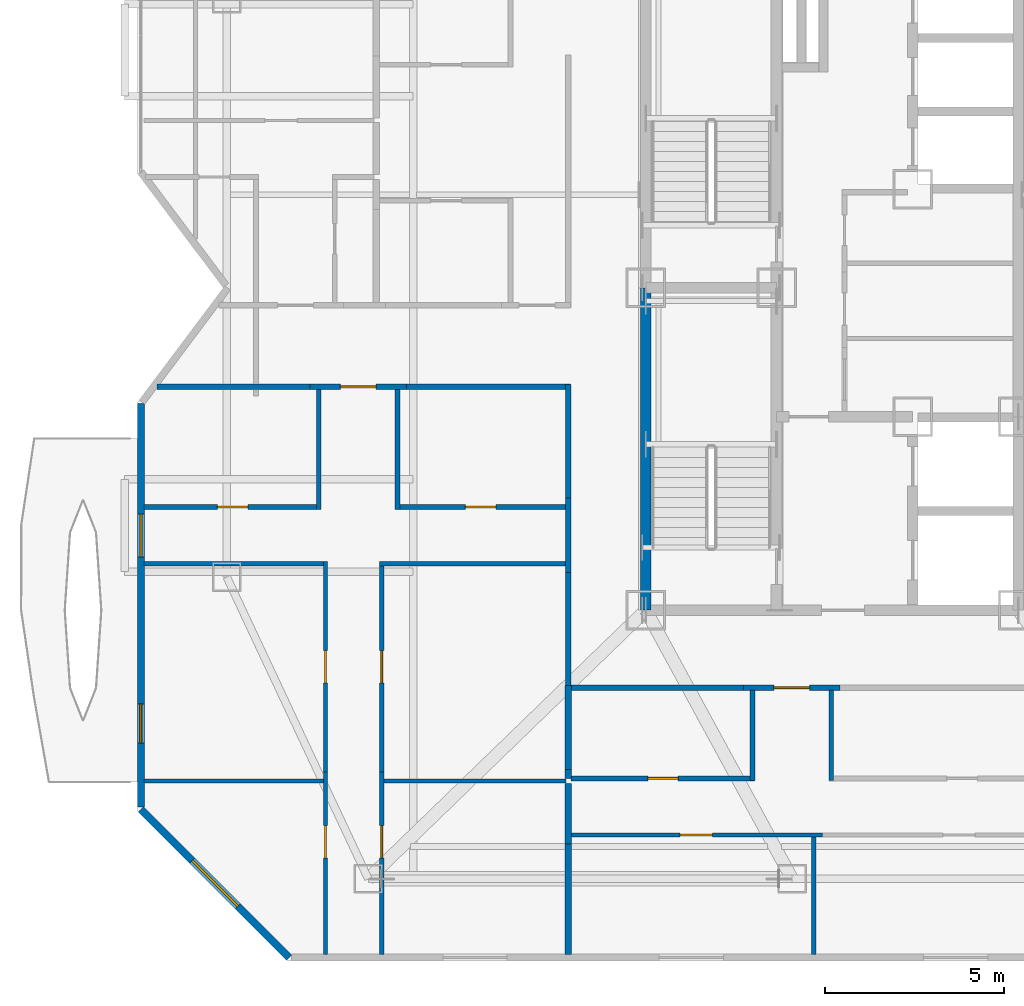
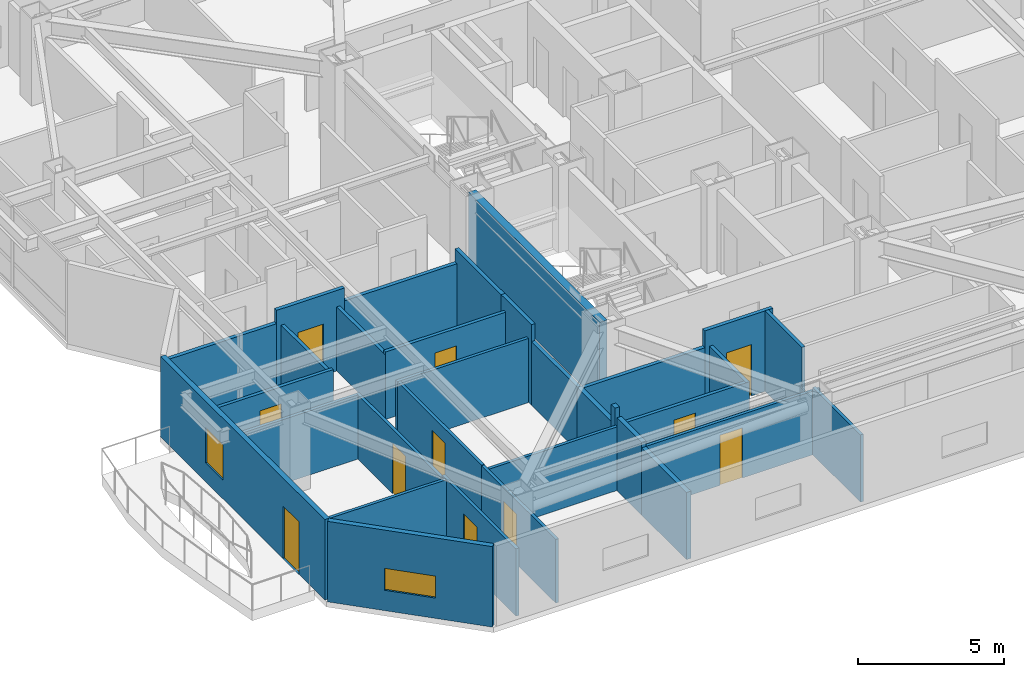
# One storey, part 12 of 20: 32 walls, 11 doors, 2 windows, 13 openings.
"""IFC4 building model written with IfcOpenShell, lengths in metres."""

import ifcopenshell
import ifcopenshell.guid

model = None  # the IFC model being written
_history = None  # IfcOwnerHistory: only IFC2X3 demands one
_inside = {}  # id of a spatial element -> (the spatial element, [elements in it])
_under = {}  # id of a project, library or spatial element -> (it, [spatial elements below it])
_declared = {}  # id of a project -> (the project, [libraries it declares])
_typed = {}  # id of a type object -> (the type object, [elements of that type])
_made_of = {}  # id of a material, layer set ... -> (it, [elements and type objects made of it])


def new_model(schema):
    """Start an empty IFC model of exactly this schema.

    Asked for "IFC4X3", IfcOpenShell would pick the latest addendum, in which some entities
    have other attributes; the version numbers below select the first issue.
    IFC2X3 requires an IfcOwnerHistory on every rooted entity: one is made here for all.
    """
    global model, _history
    if schema == "IFC4X3":
        model = ifcopenshell.file(schema_version=(4, 3, 0, 0))
    else:
        model = ifcopenshell.file(schema=schema)
    _inside.clear()
    _under.clear()
    _declared.clear()
    _typed.clear()
    _made_of.clear()
    _history = None
    if model.schema == "IFC2X3":
        org = make("IfcOrganization", Name="unknown")
        user = make(
            "IfcPersonAndOrganization",
            ThePerson=make("IfcPerson", FamilyName="unknown"),
            TheOrganization=org,
        )
        app = make(
            "IfcApplication",
            ApplicationDeveloper=org,
            Version="unknown",
            ApplicationFullName="unknown",
            ApplicationIdentifier="unknown",
        )
        _history = make(
            "IfcOwnerHistory",
            OwningUser=user,
            OwningApplication=app,
            ChangeAction="ADDED",
            CreationDate=0,
        )
    return model


def make(cls, **values):
    """One entity of the class cls with the attributes given. An attribute that is None is left unset."""
    return model.create_entity(
        cls, **{name: value for name, value in values.items() if value is not None}
    )


def rooted(cls, **values):
    """An entity with a GlobalId (a new one), such as an element, a storey or a relation."""
    return make(cls, GlobalId=ifcopenshell.guid.new(), OwnerHistory=_history, **values)


def si_unit(unit_type, name, prefix=None):
    """IfcSIUnit, for example si_unit("LENGTHUNIT", "METRE", prefix="MILLI")."""
    return make("IfcSIUnit", UnitType=unit_type, Prefix=prefix, Name=name)


def assignment(units):
    """IfcUnitAssignment: the units of a project."""
    return None if units is None else make("IfcUnitAssignment", Units=units)


def point(xyz):
    """IfcCartesianPoint."""
    return None if xyz is None else make("IfcCartesianPoint", Coordinates=xyz)


def direction(xyz):
    """IfcDirection."""
    return None if xyz is None else make("IfcDirection", DirectionRatios=xyz)


def frame(location, z_axis=None, x_axis=None):
    """IfcAxis2Placement3D, a coordinate frame: its origin and axes. An axis left out is left unset."""
    return make(
        "IfcAxis2Placement3D",
        Location=point(location),
        Axis=direction(z_axis),
        RefDirection=direction(x_axis),
    )


def frame_2d(location, x_axis=None):
    """IfcAxis2Placement2D, a coordinate frame in the plane: its origin and x axis."""
    return make(
        "IfcAxis2Placement2D", Location=point(location), RefDirection=direction(x_axis)
    )


def origin():
    """The frame at (0, 0, 0) with its axes left unset."""
    return frame((0.0, 0.0, 0.0))


def place(relative_to, where):
    """IfcLocalPlacement: puts the frame where relative to a parent placement (None: the world)."""
    return make(
        "IfcLocalPlacement", PlacementRelTo=relative_to, RelativePlacement=where
    )


def context(
    kind, dimensions, precision=None, world=None, true_north=None, identifier=None
):
    """IfcGeometricRepresentationContext, for example the 3D "Model" context."""
    return make(
        "IfcGeometricRepresentationContext",
        ContextIdentifier=identifier,
        ContextType=kind,
        CoordinateSpaceDimension=dimensions,
        Precision=precision,
        WorldCoordinateSystem=world,
        TrueNorth=true_north,
    )


def subcontext(parent, identifier, kind, view, scale=None):
    """IfcGeometricRepresentationSubContext, for example "Body" below "Model"."""
    return make(
        "IfcGeometricRepresentationSubContext",
        ContextIdentifier=identifier,
        ContextType=kind,
        ParentContext=parent,
        TargetScale=scale,
        TargetView=view,
    )


def project(units=None, contexts=None):
    """IfcProject with its units and contexts."""
    return rooted(
        "IfcProject",
        Name="project",
        RepresentationContexts=contexts,
        UnitsInContext=assignment(units),
    )


def spatial(cls, under=None, at=None, **own):
    """A site, building, storey or space (cls), placed at a placement, below another one or the project."""
    s = rooted(cls, ObjectPlacement=at, **own)
    if under is not None:
        _under.setdefault(under.id(), (under, []))[1].append(s)
    return s


def profile(cls, at=None, kind="AREA", **sizes):
    """A parametric profile (cls). Its sizes go by their IFC names, for example OverallWidth=200.0."""
    return make(cls, ProfileType=kind, Position=at, **sizes)


def rectangle(**sizes):
    """IfcRectangleProfileDef."""
    return profile("IfcRectangleProfileDef", **sizes)


def extrude(swept, where, along, depth):
    """IfcExtrudedAreaSolid: the profile swept, set in the frame where, extruded along a direction by depth."""
    return make(
        "IfcExtrudedAreaSolid",
        SweptArea=swept,
        Position=where,
        ExtrudedDirection=direction(along),
        Depth=depth,
    )


def shape(context_of_items, identifier, shape_type, items):
    """IfcShapeRepresentation: the items that make up one representation, for example the "Body"."""
    return make(
        "IfcShapeRepresentation",
        ContextOfItems=context_of_items,
        RepresentationIdentifier=identifier,
        RepresentationType=shape_type,
        Items=items,
    )


def material(Name=None, Category=None):
    """IfcMaterial."""
    return make("IfcMaterial", Name=Name, Category=Category)


def layer(
    of_material, thickness, ventilated=None, Name=None, Category=None, Priority=None
):
    """IfcMaterialLayer: one layer of a wall or slab, of a material (None: an air gap)."""
    return make(
        "IfcMaterialLayer",
        Material=of_material,
        LayerThickness=thickness,
        IsVentilated=ventilated,
        Name=Name,
        Category=Category,
        Priority=Priority,
    )


def layer_set(layers, Name=None):
    """IfcMaterialLayerSet."""
    return make("IfcMaterialLayerSet", MaterialLayers=layers, LayerSetName=Name)


def made_of(thing, what):
    """Note that an element or type object is made of a material, layer set ...; save() writes the relation."""
    if what is not None:
        _made_of.setdefault(what.id(), (what, []))[1].append(thing)
    return thing


def type_object(cls, material=None, **own):
    """A type object (cls), such as IfcWallType, which elements share."""
    return made_of(rooted(cls, **own), material)


def element(
    cls,
    number,
    at=None,
    inside=None,
    cuts=None,
    type_object=None,
    material=None,
    context=None,
    identifier="Body",
    shape_type=None,
    held_by="IfcProductDefinitionShape",
    body=None,
    shapes=None,
    **own,
):
    """One element of the class cls, such as IfcWall. Its Tag is "e" and its number.

    at: its placement. inside: the storey or other place that contains it. cuts: it is an
    opening in that element (IfcRelVoidsElement). A single representation is given by context,
    identifier, shape_type and body (its items); several are given by shapes. held_by: the class
    of the entity that holds the representations. save() writes the other relations.
    """
    e = rooted(cls, Tag="e%d" % number, ObjectPlacement=at, **own)
    if body is not None:
        shapes = [shape(context, identifier, shape_type, body)]
    if shapes is not None:
        e.Representation = make(held_by, Representations=shapes)
    if inside is not None:
        _inside.setdefault(inside.id(), (inside, []))[1].append(e)
    if cuts is not None:
        rooted(
            "IfcRelVoidsElement", RelatingBuildingElement=cuts, RelatedOpeningElement=e
        )
    if type_object is not None:
        _typed.setdefault(type_object.id(), (type_object, []))[1].append(e)
    return made_of(e, material)


def fill(opening, filler):
    """IfcRelFillsElement: the door or window that sits in an opening."""
    return rooted(
        "IfcRelFillsElement",
        RelatingOpeningElement=opening,
        RelatedBuildingElement=filler,
    )


def aggregate(whole, parts):
    """IfcRelAggregates: a whole, such as a stair, and the parts it consists of."""
    return rooted("IfcRelAggregates", RelatingObject=whole, RelatedObjects=parts)


def save(model, path):
    """Write the relations noted so far, then the file.

    IfcRelAggregates (storeys below a building ...), IfcRelContainedInSpatialStructure (elements
    in a storey), IfcRelDefinesByType, IfcRelAssociatesMaterial and IfcRelDeclares: one each for
    every whole, place, type object, material and project.
    """
    for whole, parts in _under.values():
        aggregate(whole, parts)
    for where, things in _inside.values():
        rooted(
            "IfcRelContainedInSpatialStructure",
            RelatedElements=things,
            RelatingStructure=where,
        )
    for kind, things in _typed.values():
        rooted("IfcRelDefinesByType", RelatedObjects=things, RelatingType=kind)
    for what, things in _made_of.values():
        rooted("IfcRelAssociatesMaterial", RelatedObjects=things, RelatingMaterial=what)
    for by, libraries in _declared.values():
        rooted("IfcRelDeclares", RelatingContext=by, RelatedDefinitions=libraries)
    model.write(path)


model = new_model("IFC4")

# Units and contexts
model_context = context("Model", 3, precision=1e-05, world=origin(), true_north=direction((0.0, 1.0)))
body_context = subcontext(model_context, "Body", "Model", "MODEL_VIEW")
ifc_project = project(units=[si_unit("LENGTHUNIT", "METRE"), si_unit("AREAUNIT", "SQUARE_METRE"), si_unit("VOLUMEUNIT", "CUBIC_METRE"), si_unit("PLANEANGLEUNIT", "RADIAN"), si_unit("MASSUNIT", "GRAM", prefix="KILO")], contexts=[model_context])

# Site, building, storey
site_placement = place(None, origin())
site = spatial("IfcSite", under=ifc_project, at=site_placement, CompositionType="ELEMENT")
building_placement = place(site_placement, origin())
building = spatial("IfcBuilding", under=site, at=building_placement, Name="Khamvora Tower", CompositionType="ELEMENT")
storey_placement = place(building_placement, frame((0.0, 0.0, 203.35009765625)))
storey = spatial("IfcBuildingStorey", under=building, at=storey_placement, Name="L52", CompositionType="ELEMENT", Elevation=203.35009765625)

# Walls
ifc_material_1 = material(Name="Concrete C50/60", Category="concrete")
ifc_layer_1 = layer(ifc_material_1, 0.300048828125)
ifc_layer_set_1 = layer_set([ifc_layer_1], Name="Concrete C50/60")
wall_type_1 = type_object("IfcWallType", Name="WAL-CORE-300", PredefinedType="SHEAR", material=ifc_layer_set_1)
wall_1_placement = place(storey_placement, frame((29.0, 19.0, 0.0), z_axis=(0.0, 0.0, 1.0), x_axis=(0.0, 1.0, 0.0)))
element("IfcWall", 1, at=wall_1_placement, inside=storey, type_object=wall_type_1, Name="L52 central core west south wall", PredefinedType="SHEAR", context=body_context, shape_type="SweptSolid", body=[
    extrude(rectangle(XDim=9.0, YDim=0.300048828125, at=frame_2d((4.5, 0.0))), origin(), (0.0, 0.0, 1.0), 3.369873046875),
])
ifc_material_2 = material(Name="Fire-Rated Drywall and Steel Stud", Category="steel")
ifc_layer_2 = layer(ifc_material_2, 0.14990234375)
ifc_layer_set_2 = layer_set([ifc_layer_2], Name="Fire-Rated Drywall and Steel Stud")
wall_type_2 = type_object("IfcWallType", Name="WAL-CORR-150", PredefinedType="STANDARD", material=ifc_layer_set_2)
wall_2_placement = place(storey_placement, frame((26.8349609375, 20.051025390625, 0.0), z_axis=(0.0, 0.0, 1.0), x_axis=(0.0, 1.0, 0.0)))
element("IfcWall", 2, at=wall_2_placement, inside=storey, type_object=wall_type_2, Name="L52 interior partition wall 008", PredefinedType="STANDARD", context=body_context, shape_type="SweptSolid", body=[
    extrude(rectangle(XDim=2.077880859375, YDim=0.14990234375, at=frame_2d((1.0390625, 0.0))), origin(), (0.0, 0.0, 1.0), 3.369873046875),
])

# Wall, opening, door
wall_3_placement = place(storey_placement, frame((22.318115234375, 25.235107421875, 0.0), z_axis=(0.0, 0.0, 1.0), x_axis=(-1.0, 0.0, 0.0)))
wall_3 = element("IfcWall", 3, at=wall_3_placement, inside=storey, type_object=wall_type_2, Name="L52 interior partition wall 009", PredefinedType="STANDARD", context=body_context, shape_type="SweptSolid", body=[
    extrude(rectangle(XDim=2.697998046875, YDim=0.14990234375, at=frame_2d((1.34912109375, 0.0))), origin(), (0.0, 0.0, 1.0), 3.369873046875),
])
opening_1_placement = place(wall_3_placement, frame((0.84912109375, 0.0, 0.0)))
opening_1 = element("IfcOpeningElement", 4, at=opening_1_placement, cuts=wall_3, Name="Opening D-U1", PredefinedType="OPENING", context=body_context, shape_type="SweptSolid", body=[
    extrude(rectangle(XDim=1.0, YDim=2.14990234375, at=frame_2d((0.5, 1.074951171875))), frame((0.0, 0.0849609375, 0.0), z_axis=(0.0, -1.0, 0.0), x_axis=(1.0, 0.0, 0.0)), (0.0, 0.0, 1.0), 0.169921875),
])
ifc_material_3 = material(Name="Powder-Coated Steel and Hardwood Leaf", Category="steel")
door_type_1 = type_object("IfcDoorType", Name="DOR-UNIT-1000", OperationType="NOTDEFINED", PredefinedType="DOOR", material=ifc_material_3)
door_1_placement = place(opening_1_placement, origin())
door_1 = element("IfcDoor", 5, at=door_1_placement, inside=storey, type_object=door_type_1, Name="L52 interior door COR-52WAH", OperationType="SINGLE_SWING_LEFT", OverallHeight=2.14990234375, OverallWidth=1.0, PredefinedType="DOOR", context=body_context, shape_type="SweptSolid", body=[
    extrude(rectangle(XDim=1.0, YDim=2.14990234375, at=frame_2d((0.5, 1.074951171875))), frame((0.0, 0.02490234375, 0.0), z_axis=(0.0, -1.0, 0.0), x_axis=(1.0, 0.0, 0.0)), (0.0, 0.0, 1.0), 0.050048828125),
])
fill(opening_1, door_1)

# Walls
wall_4_placement = place(storey_placement, frame((26.8349609375, 22.12890625, 0.0), z_axis=(0.0, 0.0, 1.0), x_axis=(0.0, 1.0, 0.0)))
element("IfcWall", 6, at=wall_4_placement, inside=storey, type_object=wall_type_2, Name="L52 interior partition wall 010", PredefinedType="STANDARD", context=body_context, shape_type="SweptSolid", body=[
    extrude(rectangle(XDim=3.171142578125, YDim=0.14990234375, at=frame_2d((1.58544921875, 0.0))), origin(), (0.0, 0.0, 1.0), 3.369873046875),
])
wall_5_placement = place(storey_placement, frame((26.89794921875, 25.235107421875, 0.0), z_axis=(0.0, 0.0, 1.0), x_axis=(-1.0, 0.0, 0.0)))
element("IfcWall", 7, at=wall_5_placement, inside=storey, type_object=wall_type_2, Name="L52 interior partition wall 011", PredefinedType="STANDARD", context=body_context, shape_type="SweptSolid", body=[
    extrude(rectangle(XDim=4.579833984375, YDim=0.14990234375, at=frame_2d((2.2900390625, 0.0))), origin(), (0.0, 0.0, 1.0), 2.826904296875),
])
wall_6_placement = place(storey_placement, frame((19.6201171875, 25.235107421875, 0.0), z_axis=(0.0, 0.0, 1.0), x_axis=(-1.0, 0.0, 0.0)))
element("IfcWall", 8, at=wall_6_placement, inside=storey, type_object=wall_type_2, Name="L52 interior partition wall 012", PredefinedType="STANDARD", context=body_context, shape_type="SweptSolid", body=[
    extrude(rectangle(XDim=4.26513671875, YDim=0.14990234375, at=frame_2d((2.132568359375, 0.0))), origin(), (0.0, 0.0, 1.0), 2.81591796875),
])
wall_7_placement = place(storey_placement, frame((26.8349609375, 16.89990234375, 0.0), z_axis=(0.0, 0.0, 1.0), x_axis=(0.0, 1.0, 0.0)))
element("IfcWall", 9, at=wall_7_placement, inside=storey, type_object=wall_type_2, Name="L52 interior partition wall 013", PredefinedType="STANDARD", context=body_context, shape_type="SweptSolid", body=[
    extrude(rectangle(XDim=3.151123046875, YDim=0.14990234375, at=frame_2d((1.57568359375, 0.0))), origin(), (0.0, 0.0, 1.0), 2.664794921875),
])

# Wall, opening, door
wall_8_placement = place(storey_placement, frame((34.424072265625, 16.8349609375, 0.0), z_axis=(0.0, 0.0, 1.0), x_axis=(-1.0, 0.0, 0.0)))
wall_8 = element("IfcWall", 10, at=wall_8_placement, inside=storey, type_object=wall_type_2, Name="L52 interior partition wall 019", PredefinedType="STANDARD", context=body_context, shape_type="SweptSolid", body=[
    extrude(rectangle(XDim=2.697998046875, YDim=0.14990234375, at=frame_2d((1.34912109375, 0.0))), origin(), (0.0, 0.0, 1.0), 3.369873046875),
])
opening_2_placement = place(wall_8_placement, frame((0.84912109375, 0.0, 0.0)))
opening_2 = element("IfcOpeningElement", 11, at=opening_2_placement, cuts=wall_8, Name="Opening D-U1", PredefinedType="OPENING", context=body_context, shape_type="SweptSolid", body=[
    extrude(rectangle(XDim=1.0, YDim=2.14990234375, at=frame_2d((0.5, 1.074951171875))), frame((0.0, 0.0849609375, 0.0), z_axis=(0.0, -1.0, 0.0), x_axis=(1.0, 0.0, 0.0)), (0.0, 0.0, 1.0), 0.169921875),
])
door_2_placement = place(opening_2_placement, origin())
door_2 = element("IfcDoor", 12, at=door_2_placement, inside=storey, type_object=door_type_1, Name="L52 interior door COR-52SAH", OperationType="SINGLE_SWING_RIGHT", OverallHeight=2.14990234375, OverallWidth=1.0, PredefinedType="DOOR", context=body_context, shape_type="SweptSolid", body=[
    extrude(rectangle(XDim=1.0, YDim=2.14990234375, at=frame_2d((0.5, 1.074951171875))), frame((0.0, 0.02490234375, 0.0), z_axis=(0.0, -1.0, 0.0), x_axis=(1.0, 0.0, 0.0)), (0.0, 0.0, 1.0), 0.050048828125),
])
fill(opening_2, door_2)

# Walls
wall_9_placement = place(storey_placement, frame((31.72607421875, 16.8349609375, 0.0), z_axis=(0.0, 0.0, 1.0), x_axis=(-1.0, 0.0, 0.0)))
element("IfcWall", 13, at=wall_9_placement, inside=storey, type_object=wall_type_2, Name="L52 interior partition wall 020", PredefinedType="STANDARD", context=body_context, shape_type="SweptSolid", body=[
    extrude(rectangle(XDim=4.826171875, YDim=0.14990234375, at=frame_2d((2.4130859375, 0.0))), origin(), (0.0, 0.0, 1.0), 2.664794921875),
])
ifc_material_4 = material(Name="Acoustic Double-Stud Fire Wall", Category="gypsum")
ifc_layer_3 = layer(ifc_material_4, 0.179931640625)
ifc_layer_set_3 = layer_set([ifc_layer_3], Name="Acoustic Double-Stud Fire Wall")
wall_type_3 = type_object("IfcWallType", Name="WAL-CORR-180", PredefinedType="STANDARD", material=ifc_layer_set_3)
wall_10_placement = place(storey_placement, frame((26.8349609375, 14.166015625, 0.0), z_axis=(0.0, 0.0, 1.0), x_axis=(0.0, -1.0, 0.0)))
element("IfcWall", 14, at=wall_10_placement, inside=storey, type_object=wall_type_3, Name="L52 interior partition wall 058", PredefinedType="STANDARD", context=body_context, shape_type="SweptSolid", body=[
    extrude(rectangle(XDim=1.68994140625, YDim=0.179931640625, at=frame_2d((0.844970703125, 0.0))), origin(), (0.0, 0.0, 1.0), 3.046875),
])
wall_11_placement = place(storey_placement, frame((26.8349609375, 12.47607421875, 0.0), z_axis=(0.0, 0.0, 1.0), x_axis=(0.0, -1.0, 0.0)))
element("IfcWall", 15, at=wall_11_placement, inside=storey, type_object=wall_type_3, Name="L52 interior partition wall 059", PredefinedType="STANDARD", context=body_context, shape_type="SweptSolid", body=[
    extrude(rectangle(XDim=3.083984375, YDim=0.179931640625, at=frame_2d((1.5419921875, 0.0))), origin(), (0.0, 0.0, 1.0), 2.81591796875),
])
wall_12_placement = place(storey_placement, frame((26.8349609375, 14.553955078125, 0.0), z_axis=(0.0, 0.0, 1.0), x_axis=(0.0, -1.0, 0.0)))
element("IfcWall", 16, at=wall_12_placement, inside=storey, type_object=wall_type_3, Name="L52 interior partition wall 060", PredefinedType="STANDARD", context=body_context, shape_type="SweptSolid", body=[
    extrude(rectangle(XDim=0.258056640625, YDim=0.179931640625, at=frame_2d((0.12890625, 0.0))), origin(), (0.0, 0.0, 1.0), 3.369873046875),
])
wall_13_placement = place(storey_placement, frame((26.8349609375, 16.89990234375, 0.0), z_axis=(0.0, 0.0, 1.0), x_axis=(0.0, -1.0, 0.0)))
element("IfcWall", 17, at=wall_13_placement, inside=storey, type_object=wall_type_3, Name="L52 interior partition wall 061", PredefinedType="STANDARD", context=body_context, shape_type="SweptSolid", body=[
    extrude(rectangle(XDim=2.345947265625, YDim=0.179931640625, at=frame_2d((1.1728515625, 0.0))), origin(), (0.0, 0.0, 1.0), 2.664794921875),
])

# Wall, opening, window
ifc_material_5 = material(Name="Precast concrete C40/50", Category="concrete")
ifc_layer_4 = layer(ifc_material_5, 0.199951171875)
ifc_layer_set_4 = layer_set([ifc_layer_4], Name="Precast concrete C40/50")
wall_type_4 = type_object("IfcWallType", Name="WAL-EXT-200", PredefinedType="STANDARD", material=ifc_layer_set_4)
wall_14_placement = place(storey_placement, frame((19.041015625, 9.300048828125, 0.0), z_axis=(0.0, 0.0, 1.0), x_axis=(-0.707127625344, 0.707085936414, 0.0)))
wall_14 = element("IfcWall", 18, at=wall_14_placement, inside=storey, type_object=wall_type_4, Name="L52 exterior facade wall 01.1", PredefinedType="STANDARD", context=body_context, shape_type="SweptSolid", body=[
    extrude(rectangle(XDim=5.856201171875, YDim=0.199951171875, at=frame_2d((2.92822265625, 0.0))), origin(), (0.0, 0.0, 1.0), 3.369873046875),
])
opening_3_placement = place(wall_14_placement, frame((2.028076171875, 0.0, 0.85009765625)))
opening_3 = element("IfcOpeningElement", 19, at=opening_3_placement, cuts=wall_14, Name="Opening WN-09", PredefinedType="OPENING", context=body_context, shape_type="SweptSolid", body=[
    extrude(rectangle(XDim=1.800048828125, YDim=0.919921875, at=frame_2d((0.89990234375, 0.4599609375))), frame((0.0, 0.10986328125, 0.0), z_axis=(0.0, -1.0, 0.0), x_axis=(1.0, 0.0, 0.0)), (0.0, 0.0, 1.0), 0.219970703125),
])
ifc_material_6 = material(Name="Low-E Laminated Double Glazing", Category="glass")
window_type_1 = type_object("IfcWindowType", Name="WIN-CLR-1800x920", PartitioningType="SINGLE_PANEL", PredefinedType="WINDOW", material=ifc_material_6)
window_1_placement = place(opening_3_placement, origin())
window_1 = element("IfcWindow", 20, at=window_1_placement, inside=storey, type_object=window_type_1, Name="L52 vision window 01.1.01", OverallHeight=0.919921875, OverallWidth=1.800048828125, PartitioningType="SINGLE_PANEL", PredefinedType="WINDOW", context=body_context, shape_type="SweptSolid", body=[
    extrude(rectangle(XDim=1.800048828125, YDim=0.919921875, at=frame_2d((0.89990234375, 0.4599609375))), frame((0.0, 0.030029296875, 0.0), z_axis=(0.0, -1.0, 0.0), x_axis=(1.0, 0.0, 0.0)), (0.0, 0.0, 1.0), 0.06005859375),
])
fill(opening_3, window_1)

# Wall, openings, door, window
wall_15_placement = place(storey_placement, frame((14.89990234375, 13.50390625, 0.0), z_axis=(0.0, 0.0, 1.0), x_axis=(0.0, 1.0, 0.0)))
wall_15 = element("IfcWall", 21, at=wall_15_placement, inside=storey, type_object=wall_type_4, Name="L52 exterior facade wall 02.1", PredefinedType="STANDARD", context=body_context, shape_type="SweptSolid", body=[
    extrude(rectangle(XDim=11.26318359375, YDim=0.199951171875, at=frame_2d((5.631591796875, 0.0))), origin(), (0.0, 0.0, 1.0), 3.369873046875),
])
opening_4_placement = place(wall_15_placement, frame((1.782958984375, 0.0, 0.0)))
opening_4 = element("IfcOpeningElement", 22, at=opening_4_placement, cuts=wall_15, Name="Opening BD-01", PredefinedType="OPENING", context=body_context, shape_type="SweptSolid", body=[
    extrude(rectangle(XDim=1.10009765625, YDim=2.199951171875, at=frame_2d((0.550048828125, 1.10009765625))), frame((0.0, 0.10986328125, 0.0), z_axis=(0.0, -1.0, 0.0), x_axis=(1.0, 0.0, 0.0)), (0.0, 0.0, 1.0), 0.219970703125),
])
opening_5_placement = place(wall_15_placement, frame((6.986083984375, 0.0, 0.780029296875)))
opening_5 = element("IfcOpeningElement", 23, at=opening_5_placement, cuts=wall_15, Name="Opening WN-03", PredefinedType="OPENING", context=body_context, shape_type="SweptSolid", body=[
    extrude(rectangle(XDim=1.199951171875, YDim=1.5, at=frame_2d((0.60009765625, 0.75))), frame((0.0, 0.10986328125, 0.0), z_axis=(0.0, -1.0, 0.0), x_axis=(1.0, 0.0, 0.0)), (0.0, 0.0, 1.0), 0.219970703125),
])
ifc_material_7 = material(Name="Anodised Aluminium and Laminated Safety Glass", Category="aluminium")
door_type_2 = type_object("IfcDoorType", Name="DOR-BAL-1100", OperationType="NOTDEFINED", PredefinedType="DOOR", material=ifc_material_7)
door_3_placement = place(opening_4_placement, origin())
door_3 = element("IfcDoor", 24, at=door_3_placement, inside=storey, type_object=door_type_2, Name="L52 lens gallery balcony door WL1", OperationType="SLIDING_TO_LEFT", OverallHeight=2.199951171875, OverallWidth=1.10009765625, PredefinedType="DOOR", context=body_context, shape_type="SweptSolid", body=[
    extrude(rectangle(XDim=1.10009765625, YDim=2.199951171875, at=frame_2d((0.550048828125, 1.10009765625))), frame((0.0, 0.02490234375, 0.0), z_axis=(0.0, -1.0, 0.0), x_axis=(1.0, 0.0, 0.0)), (0.0, 0.0, 1.0), 0.050048828125),
])
fill(opening_4, door_3)
window_type_2 = type_object("IfcWindowType", Name="WIN-VIS-1200x1500", PartitioningType="SINGLE_PANEL", PredefinedType="WINDOW", material=ifc_material_6)
window_2_placement = place(opening_5_placement, origin())
window_2 = element("IfcWindow", 25, at=window_2_placement, inside=storey, type_object=window_type_2, Name="L52 vision window 02.1.01", OverallHeight=1.5, OverallWidth=1.199951171875, PartitioningType="SINGLE_PANEL", PredefinedType="WINDOW", context=body_context, shape_type="SweptSolid", body=[
    extrude(rectangle(XDim=1.199951171875, YDim=1.5, at=frame_2d((0.60009765625, 0.75))), frame((0.0, 0.030029296875, 0.0), z_axis=(0.0, -1.0, 0.0), x_axis=(1.0, 0.0, 0.0)), (0.0, 0.0, 1.0), 0.06005859375),
])
fill(opening_5, window_2)

# Wall, opening, door
ifc_material_8 = material(Name="Gypsum Plasterboard Partition", Category="gypsum")
ifc_layer_5 = layer(ifc_material_8, 0.1201171875)
ifc_layer_set_5 = layer_set([ifc_layer_5], Name="Gypsum Plasterboard Partition")
wall_type_5 = type_object("IfcWallType", Name="WAL-PART-120", PredefinedType="PARTITIONING", material=ifc_layer_set_5)
wall_16_placement = place(storey_placement, frame((20.054931640625, 9.39208984375, 0.0), z_axis=(0.0, 0.0, 1.0), x_axis=(0.0, 1.0, 0.0)))
wall_16 = element("IfcWall", 26, at=wall_16_placement, inside=storey, type_object=wall_type_5, Name="L52 interior partition wall 050", PredefinedType="PARTITIONING", context=body_context, shape_type="SweptSolid", body=[
    extrude(rectangle(XDim=5.087890625, YDim=0.1201171875, at=frame_2d((2.5439453125, 0.0))), origin(), (0.0, 0.0, 1.0), 2.81591796875),
])
opening_6_placement = place(wall_16_placement, frame((2.68994140625, 0.0, 0.0)))
opening_6 = element("IfcOpeningElement", 27, at=opening_6_placement, cuts=wall_16, Name="Opening D-RM1", PredefinedType="OPENING", context=body_context, shape_type="SweptSolid", body=[
    extrude(rectangle(XDim=0.89990234375, YDim=2.10009765625, at=frame_2d((0.449951171875, 1.050048828125))), frame((0.0, 0.070068359375, 0.0), z_axis=(0.0, -1.0, 0.0), x_axis=(1.0, 0.0, 0.0)), (0.0, 0.0, 1.0), 0.14013671875),
])
door_type_3 = type_object("IfcDoorType", Name="DOR-ROOM-900", OperationType="NOTDEFINED", PredefinedType="DOOR", material=ifc_material_3)
door_4_placement = place(opening_6_placement, origin())
door_4 = element("IfcDoor", 28, at=door_4_placement, inside=storey, type_object=door_type_3, Name="L52 interior door 52WAH-52WAL", OperationType="SINGLE_SWING_RIGHT", OverallHeight=2.10009765625, OverallWidth=0.89990234375, PredefinedType="DOOR", context=body_context, shape_type="SweptSolid", body=[
    extrude(rectangle(XDim=0.89990234375, YDim=2.10009765625, at=frame_2d((0.449951171875, 1.050048828125))), frame((0.0, 0.02490234375, 0.0), z_axis=(0.0, -1.0, 0.0), x_axis=(1.0, 0.0, 0.0)), (0.0, 0.0, 1.0), 0.050048828125),
])
fill(opening_6, door_4)

wall_17_placement = place(storey_placement, frame((20.054931640625, 14.47998046875, 0.0), z_axis=(0.0, 0.0, 1.0), x_axis=(0.0, 1.0, 0.0)))
wall_17 = element("IfcWall", 29, at=wall_17_placement, inside=storey, type_object=wall_type_5, Name="L52 interior partition wall 051", PredefinedType="PARTITIONING", context=body_context, shape_type="SweptSolid", body=[
    extrude(rectangle(XDim=5.885009765625, YDim=0.1201171875, at=frame_2d((2.9423828125, 0.0))), origin(), (0.0, 0.0, 1.0), 2.68701171875),
])
opening_7_placement = place(wall_17_placement, frame((2.491943359375, 0.0, 0.0)))
opening_7 = element("IfcOpeningElement", 30, at=opening_7_placement, cuts=wall_17, Name="Opening D-RM1", PredefinedType="OPENING", context=body_context, shape_type="SweptSolid", body=[
    extrude(rectangle(XDim=0.89990234375, YDim=2.10009765625, at=frame_2d((0.449951171875, 1.050048828125))), frame((0.0, 0.070068359375, 0.0), z_axis=(0.0, -1.0, 0.0), x_axis=(1.0, 0.0, 0.0)), (0.0, 0.0, 1.0), 0.14013671875),
])
door_5_placement = place(opening_7_placement, origin())
door_5 = element("IfcDoor", 31, at=door_5_placement, inside=storey, type_object=door_type_3, Name="L52 interior door 52WAH-52WAR2", OperationType="SINGLE_SWING_RIGHT", OverallHeight=2.10009765625, OverallWidth=0.89990234375, PredefinedType="DOOR", context=body_context, shape_type="SweptSolid", body=[
    extrude(rectangle(XDim=0.89990234375, YDim=2.10009765625, at=frame_2d((0.449951171875, 1.050048828125))), frame((0.0, 0.02490234375, 0.0), z_axis=(0.0, -1.0, 0.0), x_axis=(1.0, 0.0, 0.0)), (0.0, 0.0, 1.0), 0.050048828125),
])
fill(opening_7, door_5)

# Wall
wall_18_placement = place(storey_placement, frame((20.0009765625, 20.300048828125, 0.0), z_axis=(0.0, 0.0, 1.0), x_axis=(-1.0, 0.0, 0.0)))
element("IfcWall", 32, at=wall_18_placement, inside=storey, type_object=wall_type_5, Name="L52 interior partition wall 052", PredefinedType="PARTITIONING", context=body_context, shape_type="SweptSolid", body=[
    extrude(rectangle(XDim=5.009033203125, YDim=0.1201171875, at=frame_2d((2.50439453125, 0.0))), origin(), (0.0, 0.0, 1.0), 2.68701171875),
])

# Wall, opening, door
wall_19_placement = place(storey_placement, frame((21.625, 14.47998046875, 0.0), z_axis=(0.0, 0.0, 1.0), x_axis=(0.0, -1.0, 0.0)))
wall_19 = element("IfcWall", 33, at=wall_19_placement, inside=storey, type_object=wall_type_5, Name="L52 interior partition wall 053", PredefinedType="PARTITIONING", context=body_context, shape_type="SweptSolid", body=[
    extrude(rectangle(XDim=5.087890625, YDim=0.1201171875, at=frame_2d((2.5439453125, 0.0))), origin(), (0.0, 0.0, 1.0), 2.664794921875),
])
opening_8_placement = place(wall_19_placement, frame((1.498046875, 0.0, 0.0)))
opening_8 = element("IfcOpeningElement", 34, at=opening_8_placement, cuts=wall_19, Name="Opening D-RM1", PredefinedType="OPENING", context=body_context, shape_type="SweptSolid", body=[
    extrude(rectangle(XDim=0.89990234375, YDim=2.10009765625, at=frame_2d((0.449951171875, 1.050048828125))), frame((0.0, 0.070068359375, 0.0), z_axis=(0.0, -1.0, 0.0), x_axis=(1.0, 0.0, 0.0)), (0.0, 0.0, 1.0), 0.14013671875),
])
door_6_placement = place(opening_8_placement, origin())
door_6 = element("IfcDoor", 35, at=door_6_placement, inside=storey, type_object=door_type_3, Name="L52 interior door 52WAH-52WAR3", OperationType="SINGLE_SWING_LEFT", OverallHeight=2.10009765625, OverallWidth=0.89990234375, PredefinedType="DOOR", context=body_context, shape_type="SweptSolid", body=[
    extrude(rectangle(XDim=0.89990234375, YDim=2.10009765625, at=frame_2d((0.449951171875, 1.050048828125))), frame((0.0, 0.02490234375, 0.0), z_axis=(0.0, -1.0, 0.0), x_axis=(1.0, 0.0, 0.0)), (0.0, 0.0, 1.0), 0.050048828125),
])
fill(opening_8, door_6)

# Wall
wall_20_placement = place(storey_placement, frame((26.77001953125, 20.300048828125, 0.0), z_axis=(0.0, 0.0, 1.0), x_axis=(-1.0, 0.0, 0.0)))
element("IfcWall", 36, at=wall_20_placement, inside=storey, type_object=wall_type_5, Name="L52 interior partition wall 054", PredefinedType="PARTITIONING", context=body_context, shape_type="SweptSolid", body=[
    extrude(rectangle(XDim=5.2099609375, YDim=0.1201171875, at=frame_2d((2.60498046875, 0.0))), origin(), (0.0, 0.0, 1.0), 2.68701171875),
])

# Wall, opening, door
wall_21_placement = place(storey_placement, frame((21.625, 20.364990234375, 0.0), z_axis=(0.0, 0.0, 1.0), x_axis=(0.0, -1.0, 0.0)))
wall_21 = element("IfcWall", 37, at=wall_21_placement, inside=storey, type_object=wall_type_5, Name="L52 interior partition wall 055", PredefinedType="PARTITIONING", context=body_context, shape_type="SweptSolid", body=[
    extrude(rectangle(XDim=5.885009765625, YDim=0.1201171875, at=frame_2d((2.9423828125, 0.0))), origin(), (0.0, 0.0, 1.0), 2.68701171875),
])
opening_9_placement = place(wall_21_placement, frame((2.491943359375, 0.0, 0.0)))
opening_9 = element("IfcOpeningElement", 38, at=opening_9_placement, cuts=wall_21, Name="Opening D-RM1", PredefinedType="OPENING", context=body_context, shape_type="SweptSolid", body=[
    extrude(rectangle(XDim=0.89990234375, YDim=2.10009765625, at=frame_2d((0.449951171875, 1.050048828125))), frame((0.0, 0.070068359375, 0.0), z_axis=(0.0, -1.0, 0.0), x_axis=(1.0, 0.0, 0.0)), (0.0, 0.0, 1.0), 0.14013671875),
])
door_7_placement = place(opening_9_placement, origin())
door_7 = element("IfcDoor", 39, at=door_7_placement, inside=storey, type_object=door_type_3, Name="L52 interior door 52WAH-52WAR4", OperationType="SINGLE_SWING_LEFT", OverallHeight=2.10009765625, OverallWidth=0.89990234375, PredefinedType="DOOR", context=body_context, shape_type="SweptSolid", body=[
    extrude(rectangle(XDim=0.89990234375, YDim=2.10009765625, at=frame_2d((0.449951171875, 1.050048828125))), frame((0.0, 0.02490234375, 0.0), z_axis=(0.0, -1.0, 0.0), x_axis=(1.0, 0.0, 0.0)), (0.0, 0.0, 1.0), 0.050048828125),
])
fill(opening_9, door_7)

# Walls
wall_22_placement = place(storey_placement, frame((14.991943359375, 14.23095703125, 0.0), z_axis=(0.0, 0.0, 1.0), x_axis=(1.0, 0.0, 0.0)))
element("IfcWall", 40, at=wall_22_placement, inside=storey, type_object=wall_type_5, Name="L52 interior partition wall 056", PredefinedType="PARTITIONING", context=body_context, shape_type="SweptSolid", body=[
    extrude(rectangle(XDim=5.009033203125, YDim=0.1201171875, at=frame_2d((2.50439453125, 0.0))), origin(), (0.0, 0.0, 1.0), 2.81591796875),
])
wall_23_placement = place(storey_placement, frame((21.678955078125, 14.23095703125, 0.0), z_axis=(0.0, 0.0, 1.0), x_axis=(1.0, 0.0, 0.0)))
element("IfcWall", 41, at=wall_23_placement, inside=storey, type_object=wall_type_5, Name="L52 interior partition wall 057", PredefinedType="PARTITIONING", context=body_context, shape_type="SweptSolid", body=[
    extrude(rectangle(XDim=5.091064453125, YDim=0.1201171875, at=frame_2d((2.54541015625, 0.0))), origin(), (0.0, 0.0, 1.0), 2.664794921875),
])

# Wall, opening, door
wall_24_placement = place(storey_placement, frame((33.93896484375, 12.72509765625, 0.0), z_axis=(0.0, 0.0, 1.0), x_axis=(-1.0, 0.0, 0.0)))
wall_24 = element("IfcWall", 42, at=wall_24_placement, inside=storey, type_object=wall_type_5, Name="L52 interior partition wall 087", PredefinedType="PARTITIONING", context=body_context, shape_type="SweptSolid", body=[
    extrude(rectangle(XDim=7.02197265625, YDim=0.1201171875, at=frame_2d((3.510986328125, 0.0))), origin(), (0.0, 0.0, 1.0), 2.664794921875),
])
opening_10_placement = place(wall_24_placement, frame((3.08203125, 0.0, 0.0)))
opening_10 = element("IfcOpeningElement", 43, at=opening_10_placement, cuts=wall_24, Name="Opening D-RM1", PredefinedType="OPENING", context=body_context, shape_type="SweptSolid", body=[
    extrude(rectangle(XDim=0.89990234375, YDim=2.10009765625, at=frame_2d((0.449951171875, 1.050048828125))), frame((0.0, 0.070068359375, 0.0), z_axis=(0.0, -1.0, 0.0), x_axis=(1.0, 0.0, 0.0)), (0.0, 0.0, 1.0), 0.14013671875),
])
door_8_placement = place(opening_10_placement, origin())
door_8 = element("IfcDoor", 44, at=door_8_placement, inside=storey, type_object=door_type_3, Name="L52 interior door 52SAH-52SAL", OperationType="SINGLE_SWING_RIGHT", OverallHeight=2.10009765625, OverallWidth=0.89990234375, PredefinedType="DOOR", context=body_context, shape_type="SweptSolid", body=[
    extrude(rectangle(XDim=0.89990234375, YDim=2.10009765625, at=frame_2d((0.449951171875, 1.050048828125))), frame((0.0, 0.02490234375, 0.0), z_axis=(0.0, -1.0, 0.0), x_axis=(1.0, 0.0, 0.0)), (0.0, 0.0, 1.0), 0.050048828125),
])
fill(opening_10, door_8)

# Walls
wall_25_placement = place(storey_placement, frame((33.68994140625, 12.6708984375, 0.0), z_axis=(0.0, 0.0, 1.0), x_axis=(0.0, -1.0, 0.0)))
element("IfcWall", 45, at=wall_25_placement, inside=storey, type_object=wall_type_5, Name="L52 interior partition wall 091", PredefinedType="PARTITIONING", context=body_context, shape_type="SweptSolid", body=[
    extrude(rectangle(XDim=3.27880859375, YDim=0.1201171875, at=frame_2d((1.639404296875, 0.0))), origin(), (0.0, 0.0, 1.0), 2.81591796875),
])
ifc_material_9 = material(Name="Moisture-Resistant Plasterboard Partition", Category="gypsum")
ifc_layer_6 = layer(ifc_material_9, 0.135009765625)
ifc_layer_set_6 = layer_set([ifc_layer_6], Name="Moisture-Resistant Plasterboard Partition")
wall_type_6 = type_object("IfcWallType", Name="WAL-WET-135", PredefinedType="PARTITIONING", material=ifc_layer_set_6)
wall_26_placement = place(storey_placement, frame((22.069091796875, 25.16796875, 0.0), z_axis=(0.0, 0.0, 1.0), x_axis=(0.0, -1.0, 0.0)))
element("IfcWall", 46, at=wall_26_placement, inside=storey, type_object=wall_type_6, Name="L52 interior partition wall 046", PredefinedType="PARTITIONING", context=body_context, shape_type="SweptSolid", body=[
    extrude(rectangle(XDim=3.35302734375, YDim=0.135009765625, at=frame_2d((1.676513671875, 0.0))), origin(), (0.0, 0.0, 1.0), 2.68701171875),
])

# Wall, opening, door
wall_27_placement = place(storey_placement, frame((22.00390625, 21.8798828125, 0.0), z_axis=(0.0, 0.0, 1.0), x_axis=(1.0, 0.0, 0.0)))
wall_27 = element("IfcWall", 47, at=wall_27_placement, inside=storey, type_object=wall_type_6, Name="L52 interior partition wall 047", PredefinedType="PARTITIONING", context=body_context, shape_type="SweptSolid", body=[
    extrude(rectangle(XDim=4.76611328125, YDim=0.135009765625, at=frame_2d((2.383056640625, 0.0))), origin(), (0.0, 0.0, 1.0), 2.826904296875),
])
opening_11_placement = place(wall_27_placement, frame((1.9580078125, 0.0, 0.0)))
opening_11 = element("IfcOpeningElement", 48, at=opening_11_placement, cuts=wall_27, Name="Opening D-WC1", PredefinedType="OPENING", context=body_context, shape_type="SweptSolid", body=[
    extrude(rectangle(XDim=0.85009765625, YDim=2.10009765625, at=frame_2d((0.425048828125, 1.050048828125))), frame((0.0, 0.077392578125, 0.0), z_axis=(0.0, -1.0, 0.0), x_axis=(1.0, 0.0, 0.0)), (0.0, 0.0, 1.0), 0.155029296875),
])
door_type_4 = type_object("IfcDoorType", Name="DOR-WET-850", OperationType="NOTDEFINED", PredefinedType="DOOR", material=ifc_material_3)
door_9_placement = place(opening_11_placement, origin())
door_9 = element("IfcDoor", 49, at=door_9_placement, inside=storey, type_object=door_type_4, Name="L52 interior door 52WAH-52WAB", OperationType="SINGLE_SWING_LEFT", OverallHeight=2.10009765625, OverallWidth=0.85009765625, PredefinedType="DOOR", context=body_context, shape_type="SweptSolid", body=[
    extrude(rectangle(XDim=0.85009765625, YDim=2.10009765625, at=frame_2d((0.425048828125, 1.050048828125))), frame((0.0, 0.02490234375, 0.0), z_axis=(0.0, -1.0, 0.0), x_axis=(1.0, 0.0, 0.0)), (0.0, 0.0, 1.0), 0.050048828125),
])
fill(opening_11, door_9)

wall_28_placement = place(storey_placement, frame((14.991943359375, 21.8798828125, 0.0), z_axis=(0.0, 0.0, 1.0), x_axis=(1.0, 0.0, 0.0)))
wall_28 = element("IfcWall", 50, at=wall_28_placement, inside=storey, type_object=wall_type_6, Name="L52 interior partition wall 048", PredefinedType="PARTITIONING", context=body_context, shape_type="SweptSolid", body=[
    extrude(rectangle(XDim=4.942138671875, YDim=0.135009765625, at=frame_2d((2.47119140625, 0.0))), origin(), (0.0, 0.0, 1.0), 2.81591796875),
])
opening_12_placement = place(wall_28_placement, frame((2.0458984375, 0.0, 0.0)))
opening_12 = element("IfcOpeningElement", 51, at=opening_12_placement, cuts=wall_28, Name="Opening D-RM2", PredefinedType="OPENING", context=body_context, shape_type="SweptSolid", body=[
    extrude(rectangle(XDim=0.85009765625, YDim=2.10009765625, at=frame_2d((0.425048828125, 1.050048828125))), frame((0.0, 0.077392578125, 0.0), z_axis=(0.0, -1.0, 0.0), x_axis=(1.0, 0.0, 0.0)), (0.0, 0.0, 1.0), 0.155029296875),
])
door_type_5 = type_object("IfcDoorType", Name="DOR-ROOM-850", OperationType="NOTDEFINED", PredefinedType="DOOR", material=ifc_material_3)
door_10_placement = place(opening_12_placement, origin())
door_10 = element("IfcDoor", 52, at=door_10_placement, inside=storey, type_object=door_type_5, Name="L52 interior door 52WAH-52WAK", OperationType="SINGLE_SWING_RIGHT", OverallHeight=2.10009765625, OverallWidth=0.85009765625, PredefinedType="DOOR", context=body_context, shape_type="SweptSolid", body=[
    extrude(rectangle(XDim=0.85009765625, YDim=2.10009765625, at=frame_2d((0.425048828125, 1.050048828125))), frame((0.0, 0.02490234375, 0.0), z_axis=(0.0, -1.0, 0.0), x_axis=(1.0, 0.0, 0.0)), (0.0, 0.0, 1.0), 0.050048828125),
])
fill(opening_12, door_10)

# Wall
wall_29_placement = place(storey_placement, frame((19.868896484375, 21.81494140625, 0.0), z_axis=(0.0, 0.0, 1.0), x_axis=(0.0, 1.0, 0.0)))
element("IfcWall", 53, at=wall_29_placement, inside=storey, type_object=wall_type_6, Name="L52 interior partition wall 049", PredefinedType="PARTITIONING", context=body_context, shape_type="SweptSolid", body=[
    extrude(rectangle(XDim=3.35302734375, YDim=0.135009765625, at=frame_2d((1.676513671875, 0.0))), origin(), (0.0, 0.0, 1.0), 2.68701171875),
])

# Wall, opening, door
wall_30_placement = place(storey_placement, frame((26.9169921875, 14.304931640625, 0.0), z_axis=(0.0, 0.0, 1.0), x_axis=(1.0, 0.0, 0.0)))
wall_30 = element("IfcWall", 54, at=wall_30_placement, inside=storey, type_object=wall_type_6, Name="L52 interior partition wall 083", PredefinedType="PARTITIONING", context=body_context, shape_type="SweptSolid", body=[
    extrude(rectangle(XDim=5.123046875, YDim=0.135009765625, at=frame_2d((2.5615234375, 0.0))), origin(), (0.0, 0.0, 1.0), 2.664794921875),
])
opening_13_placement = place(wall_30_placement, frame((2.136962890625, 0.0, 0.0)))
opening_13 = element("IfcOpeningElement", 55, at=opening_13_placement, cuts=wall_30, Name="Opening D-WC1", PredefinedType="OPENING", context=body_context, shape_type="SweptSolid", body=[
    extrude(rectangle(XDim=0.85009765625, YDim=2.10009765625, at=frame_2d((0.425048828125, 1.050048828125))), frame((0.0, 0.077392578125, 0.0), z_axis=(0.0, -1.0, 0.0), x_axis=(1.0, 0.0, 0.0)), (0.0, 0.0, 1.0), 0.155029296875),
])
door_11_placement = place(opening_13_placement, origin())
door_11 = element("IfcDoor", 56, at=door_11_placement, inside=storey, type_object=door_type_4, Name="L52 interior door 52SAH-52SAB", OperationType="SINGLE_SWING_RIGHT", OverallHeight=2.10009765625, OverallWidth=0.85009765625, PredefinedType="DOOR", context=body_context, shape_type="SweptSolid", body=[
    extrude(rectangle(XDim=0.85009765625, YDim=2.10009765625, at=frame_2d((0.425048828125, 1.050048828125))), frame((0.0, 0.02490234375, 0.0), z_axis=(0.0, -1.0, 0.0), x_axis=(1.0, 0.0, 0.0)), (0.0, 0.0, 1.0), 0.050048828125),
])
fill(opening_13, door_11)

# Walls
wall_31_placement = place(storey_placement, frame((31.97509765625, 14.239990234375, 0.0), z_axis=(0.0, 0.0, 1.0), x_axis=(0.0, 1.0, 0.0)))
element("IfcWall", 57, at=wall_31_placement, inside=storey, type_object=wall_type_6, Name="L52 interior partition wall 084", PredefinedType="PARTITIONING", context=body_context, shape_type="SweptSolid", body=[
    extrude(rectangle(XDim=2.530029296875, YDim=0.135009765625, at=frame_2d((1.26513671875, 0.0))), origin(), (0.0, 0.0, 1.0), 2.664794921875),
])
wall_32_placement = place(storey_placement, frame((34.175048828125, 16.77001953125, 0.0), z_axis=(0.0, 0.0, 1.0), x_axis=(0.0, -1.0, 0.0)))
element("IfcWall", 58, at=wall_32_placement, inside=storey, type_object=wall_type_6, Name="L52 interior partition wall 085", PredefinedType="PARTITIONING", context=body_context, shape_type="SweptSolid", body=[
    extrude(rectangle(XDim=2.530029296875, YDim=0.135009765625, at=frame_2d((1.26513671875, 0.0))), origin(), (0.0, 0.0, 1.0), 3.369873046875),
])

save(model, "model.ifc")
